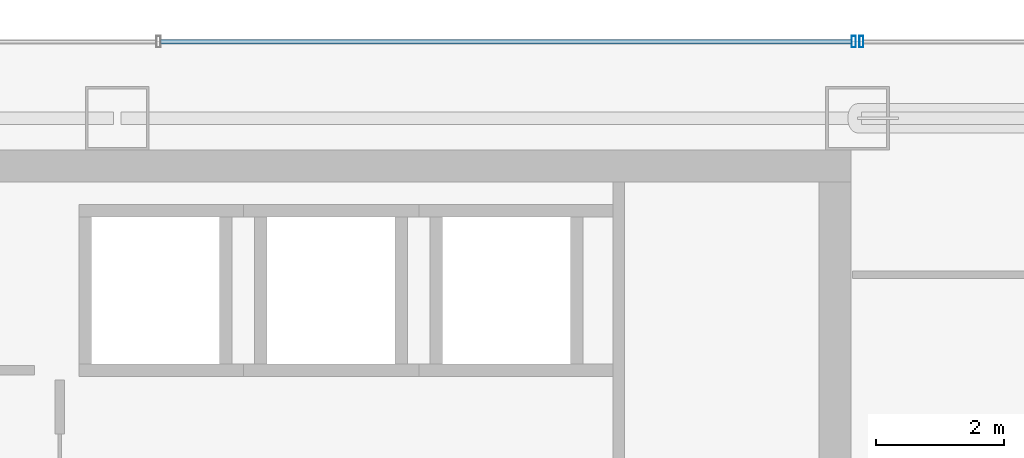
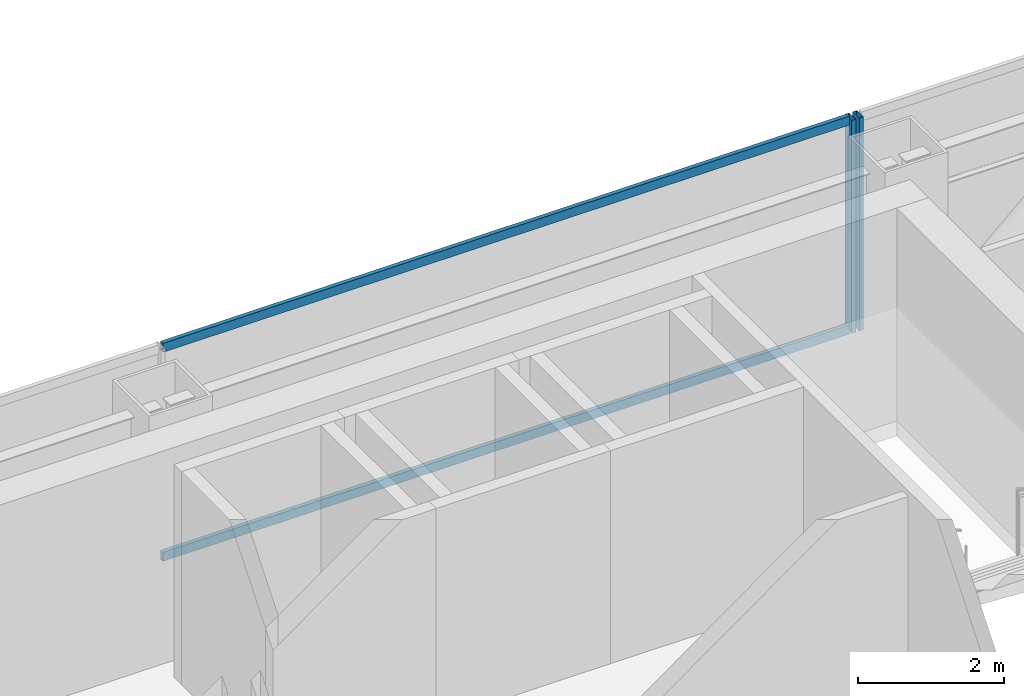
# One storey, part 27 of 36: 4 members, 2 elements without a shape of their own.
"""IFC4 building model written with IfcOpenShell, lengths in metres."""

from ifc_helpers import new_model, si_unit, direction, frame, origin, origin_2d, place, context, subcontext, project, spatial, hollow_rectangle, extrude, material, material_profile, profile_set, type_object, element, aggregate, save


model = new_model("IFC4")

# Units and contexts
model_context = context("Model", 3, precision=1e-05, world=origin(), true_north=direction((0.0, 1.0)))
body_context = subcontext(model_context, "Body", "Model", "MODEL_VIEW")
ifc_project = project(units=[si_unit("LENGTHUNIT", "METRE"), si_unit("AREAUNIT", "SQUARE_METRE"), si_unit("VOLUMEUNIT", "CUBIC_METRE"), si_unit("PLANEANGLEUNIT", "RADIAN"), si_unit("MASSUNIT", "GRAM", prefix="KILO")], contexts=[model_context])

# Site, building, storey
site_placement = place(None, origin())
site = spatial("IfcSite", under=ifc_project, at=site_placement, CompositionType="ELEMENT")
building_placement = place(site_placement, origin())
building = spatial("IfcBuilding", under=site, at=building_placement, Name="Saevonmaru Cultural Tower", CompositionType="ELEMENT")
storey_placement = place(building_placement, frame((0.0, 0.0, 156.199951171875)))
storey = spatial("IfcBuildingStorey", under=building, at=storey_placement, Name="L34", CompositionType="ELEMENT", Elevation=156.199951171875)

# Curtain wall, member
ifc_material = material(Name="Satin Bronze Anodised Aluminium", Category="aluminium")
curtain_wall_type = type_object("IfcCurtainWallType", Name="CW-TYP-A", PredefinedType="NOTDEFINED", material=ifc_material)
curtain_wall_1_placement = place(storey_placement, origin())
curtain_wall_1 = element("IfcCurtainWall", 1, at=curtain_wall_1_placement, inside=storey, type_object=curtain_wall_type, Name="L34 East Braced Bay Spandrel Curtain Wall E10A", PredefinedType="NOTDEFINED")
ifc_material_profile_1 = material_profile(ifc_material, hollow_rectangle(XDim=0.06494140625, YDim=0.179931640625, WallThickness=0.00390625, at=origin_2d()), Name="ALU-MULL-180x65x4")
ifc_profile_set_1 = profile_set([ifc_material_profile_1], Name="Satin Bronze Anodised Aluminium")
member_type_1 = type_object("IfcMemberType", Name="ML-CW-180x65", PredefinedType="MULLION", material=ifc_profile_set_1)
member_1_placement = place(storey_placement, frame((46.4599609375, 56.0, 0.0), z_axis=(0.0, 0.0, 1.0), x_axis=(-1.0, 0.0, 0.0)))
member_1 = element("IfcMember", 2, at=member_1_placement, type_object=member_type_1, Name="CW-TW-L34-E10A mullion 2", PredefinedType="MULLION", context=body_context, shape_type="SweptSolid", body=[
    extrude(hollow_rectangle(XDim=0.06494140625, YDim=0.179931640625, WallThickness=0.00390625, at=origin_2d()), origin(), (0.0, 0.0, 1.0), 3.550048828125),
])
aggregate(curtain_wall_1, [member_1])

# Curtain wall, members
curtain_wall_2_placement = place(storey_placement, origin())
curtain_wall_2 = element("IfcCurtainWall", 3, at=curtain_wall_2_placement, inside=storey, type_object=curtain_wall_type, Name="L34 North Spine Unitised Curtain Wall E10B", PredefinedType="NOTDEFINED")
member_2_placement = place(storey_placement, frame((46.340087890625, 56.0, 0.0), z_axis=(0.0, 0.0, 1.0), x_axis=(-1.0, 0.0, 0.0)))
member_2 = element("IfcMember", 4, at=member_2_placement, type_object=member_type_1, Name="CW-TW-L34-E10B mullion 1", PredefinedType="MULLION", context=body_context, shape_type="SweptSolid", body=[
    extrude(hollow_rectangle(XDim=0.06494140625, YDim=0.179931640625, WallThickness=0.00390625, at=origin_2d()), origin(), (0.0, 0.0, 1.0), 3.550048828125),
])
ifc_material_profile_2 = material_profile(ifc_material, hollow_rectangle(XDim=0.06494140625, YDim=0.14990234375, WallThickness=0.00390625, at=origin_2d()), Name="ALU-TRAN-150x65x4")
ifc_profile_set_2 = profile_set([ifc_material_profile_2], Name="Satin Bronze Anodised Aluminium")
member_type_2 = type_object("IfcMemberType", Name="TR-CW-150x65", PredefinedType="USERDEFINED", material=ifc_profile_set_2)
member_3_placement = place(storey_placement, frame((46.3076171875, 56.0, 0.032470703125), z_axis=(-1.0, 0.0, 0.0), x_axis=(0.0, -1.0, 0.0)))
member_3 = element("IfcMember", 5, at=member_3_placement, type_object=member_type_2, Name="CW-TW-L34-E10B transom 1.1", ObjectType="TRANSOM", PredefinedType="USERDEFINED", context=body_context, shape_type="SweptSolid", body=[
    extrude(hollow_rectangle(XDim=0.06494140625, YDim=0.14990234375, WallThickness=0.00390625, at=origin_2d()), origin(), (0.0, 0.0, 1.0), 10.828369140625),
])
member_4_placement = place(storey_placement, frame((46.3076171875, 56.0, 3.517578125), z_axis=(-1.0, 0.0, 0.0), x_axis=(0.0, -1.0, 0.0)))
member_4 = element("IfcMember", 6, at=member_4_placement, type_object=member_type_2, Name="CW-TW-L34-E10B transom 1.2", ObjectType="TRANSOM", PredefinedType="USERDEFINED", context=body_context, shape_type="SweptSolid", body=[
    extrude(hollow_rectangle(XDim=0.06494140625, YDim=0.14990234375, WallThickness=0.00390625, at=origin_2d()), origin(), (0.0, 0.0, 1.0), 10.828369140625),
])
aggregate(curtain_wall_2, [member_2, member_3, member_4])

save(model, "model.ifc")
